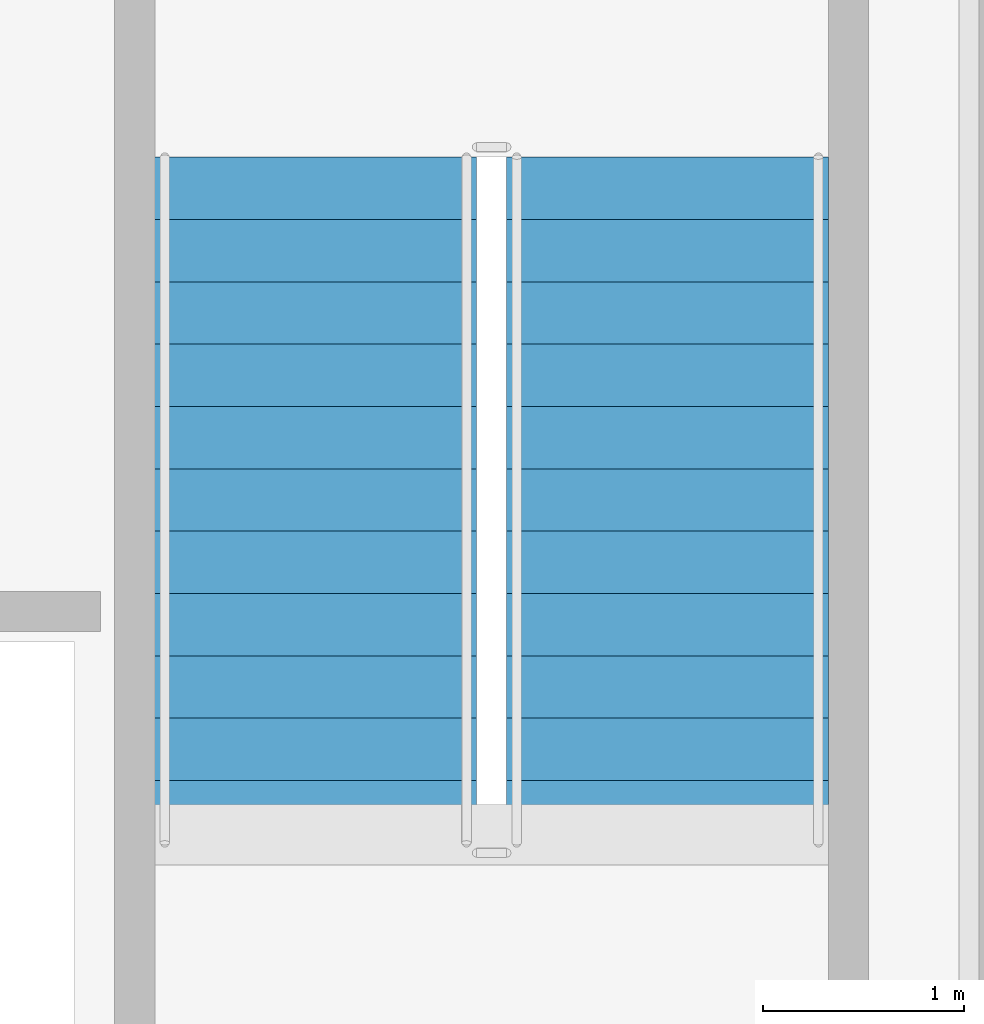
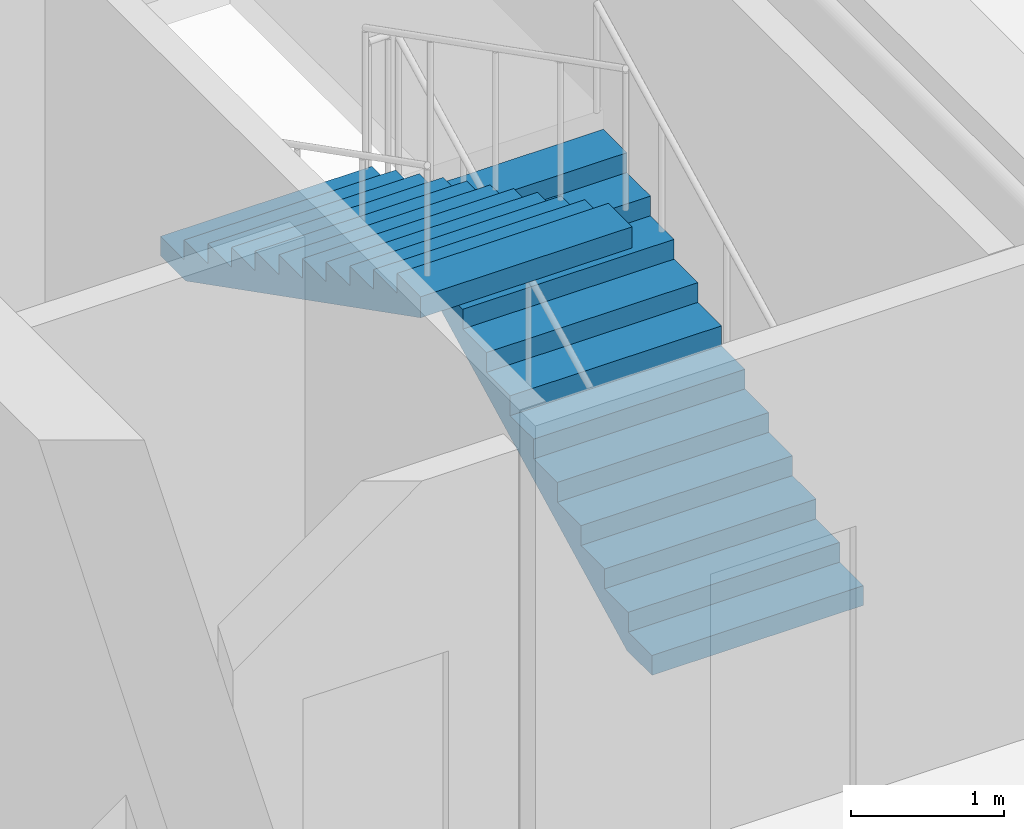
# One storey, part 13 of 17: 2 stair flights, 1 element without a shape of its own.
"""IFC4 building model written with IfcOpenShell, lengths in metres."""

from ifc_helpers import new_model, si_unit, direction, frame, origin, place, context, subcontext, project, spatial, polyline, outline, extrude, material, type_object, element, aggregate, save


model = new_model("IFC4")

# Units and contexts
model_context = context("Model", 3, precision=1e-05, world=origin(), true_north=direction((0.0, 1.0)))
body_context = subcontext(model_context, "Body", "Model", "MODEL_VIEW")
ifc_project = project(units=[si_unit("LENGTHUNIT", "METRE"), si_unit("AREAUNIT", "SQUARE_METRE"), si_unit("VOLUMEUNIT", "CUBIC_METRE"), si_unit("PLANEANGLEUNIT", "RADIAN"), si_unit("MASSUNIT", "GRAM", prefix="KILO")], contexts=[model_context])

# Site, building, storey
site_placement = place(None, origin())
site = spatial("IfcSite", under=ifc_project, at=site_placement, CompositionType="ELEMENT")
building_placement = place(site_placement, origin())
building = spatial("IfcBuilding", under=site, at=building_placement, Name="Vaeldorn Concourse Tower", CompositionType="ELEMENT")
storey_placement = place(building_placement, frame((0.0, 0.0, 234.60009765625)))
storey = spatial("IfcBuildingStorey", under=building, at=storey_placement, Name="L60", CompositionType="ELEMENT", Elevation=234.60009765625)

# Stair, stair flights
ifc_material = material(Name="Precast concrete C40/50", Category="concrete")
stair_type = type_object("IfcStairType", Name="STR-DOG-24x158", PredefinedType="HALF_TURN_STAIR", material=ifc_material)
stair_placement = place(storey_placement, origin())
stair = element("IfcStair", 1, at=stair_placement, inside=storey, type_object=stair_type, Name="L60 East Core Exit Stair ST-2", PredefinedType="HALF_TURN_STAIR")
stair_flight_type = type_object("IfcStairFlightType", Name="STF-STR-12x158", PredefinedType="STRAIGHT", material=ifc_material)
stair_flight_1_placement = place(storey_placement, frame((52.14990234375, 41.60009765625, 0.0), z_axis=(0.0, 0.0, 1.0), x_axis=(0.0, 1.0, 0.0)))
stair_flight_1 = element("IfcStairFlight", 2, at=stair_flight_1_placement, type_object=stair_flight_type, Name="ST-2 flight 1", NumberOfRisers=12, NumberOfTreads=11, PredefinedType="STRAIGHT", RiserHeight=0.158333333, TreadLength=0.31, context=body_context, shape_type="SweptSolid", body=[
    extrude(outline(polyline([(0.0, 0.0), (0.0, 0.158447265625), (0.31005859375, 0.158447265625), (0.31005859375, 0.316650390625), (0.6201171875, 0.316650390625), (0.6201171875, 0.47509765625), (0.929931640625, 0.47509765625), (0.929931640625, 0.63330078125), (1.239990234375, 0.63330078125), (1.239990234375, 0.791748046875), (1.550048828125, 0.791748046875), (1.550048828125, 0.949951171875), (1.860107421875, 0.949951171875), (1.860107421875, 1.1083984375), (2.169921875, 1.1083984375), (2.169921875, 1.2666015625), (2.47998046875, 1.2666015625), (2.47998046875, 1.425048828125), (2.7900390625, 1.425048828125), (2.7900390625, 1.583251953125), (3.10009765625, 1.583251953125), (3.10009765625, 1.74169921875), (3.409912109375, 1.74169921875), (3.409912109375, 1.89990234375), (3.409912109375, 1.5732421875), (0.32958984375, 0.0), (0.0, 0.0)])), frame((0.0, 0.800048828125, 0.0), z_axis=(0.0, -1.0, 0.0), x_axis=(1.0, 0.0, 0.0)), (0.0, 0.0, 1.0), 1.60009765625),
])
stair_flight_2_placement = place(storey_placement, frame((50.39990234375, 45.010009765625, 1.89990234375), z_axis=(0.0, 0.0, 1.0), x_axis=(0.0, -1.0, 0.0)))
stair_flight_2 = element("IfcStairFlight", 3, at=stair_flight_2_placement, type_object=stair_flight_type, Name="ST-2 flight 2", NumberOfRisers=12, NumberOfTreads=11, PredefinedType="STRAIGHT", RiserHeight=0.158333333, TreadLength=0.31, context=body_context, shape_type="SweptSolid", body=[
    extrude(outline(polyline([(0.0, 0.0), (0.0, 0.158447265625), (0.31005859375, 0.158447265625), (0.31005859375, 0.316650390625), (0.6201171875, 0.316650390625), (0.6201171875, 0.47509765625), (0.929931640625, 0.47509765625), (0.929931640625, 0.63330078125), (1.239990234375, 0.63330078125), (1.239990234375, 0.791748046875), (1.550048828125, 0.791748046875), (1.550048828125, 0.949951171875), (1.860107421875, 0.949951171875), (1.860107421875, 1.1083984375), (2.169921875, 1.1083984375), (2.169921875, 1.2666015625), (2.47998046875, 1.2666015625), (2.47998046875, 1.425048828125), (2.7900390625, 1.425048828125), (2.7900390625, 1.583251953125), (3.10009765625, 1.583251953125), (3.10009765625, 1.74169921875), (3.409912109375, 1.74169921875), (3.409912109375, 1.89990234375), (3.409912109375, 1.5732421875), (0.32958984375, 0.0), (0.0, 0.0)])), frame((0.0, 0.800048828125, 0.0), z_axis=(0.0, -1.0, 0.0), x_axis=(1.0, 0.0, 0.0)), (0.0, 0.0, 1.0), 1.60009765625),
])
aggregate(stair, [stair_flight_1, stair_flight_2])

save(model, "model.ifc")
